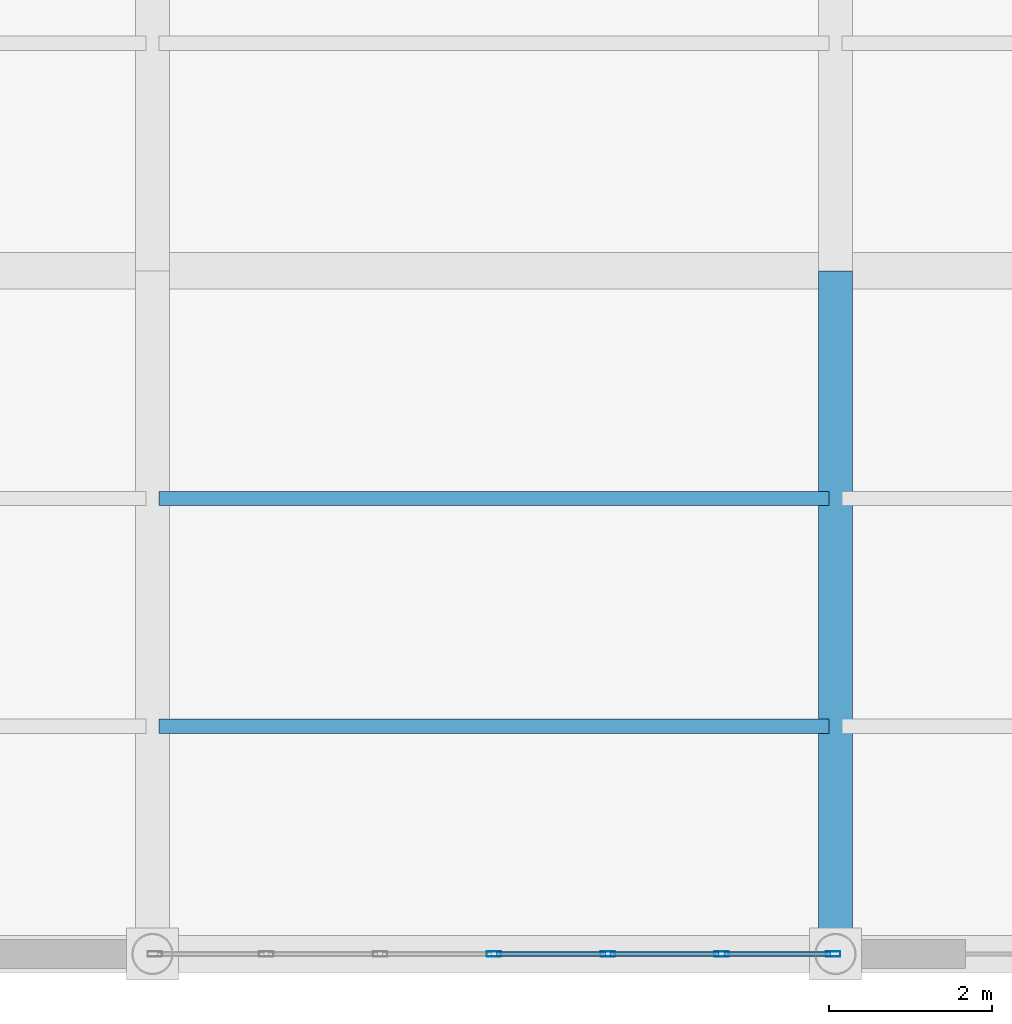
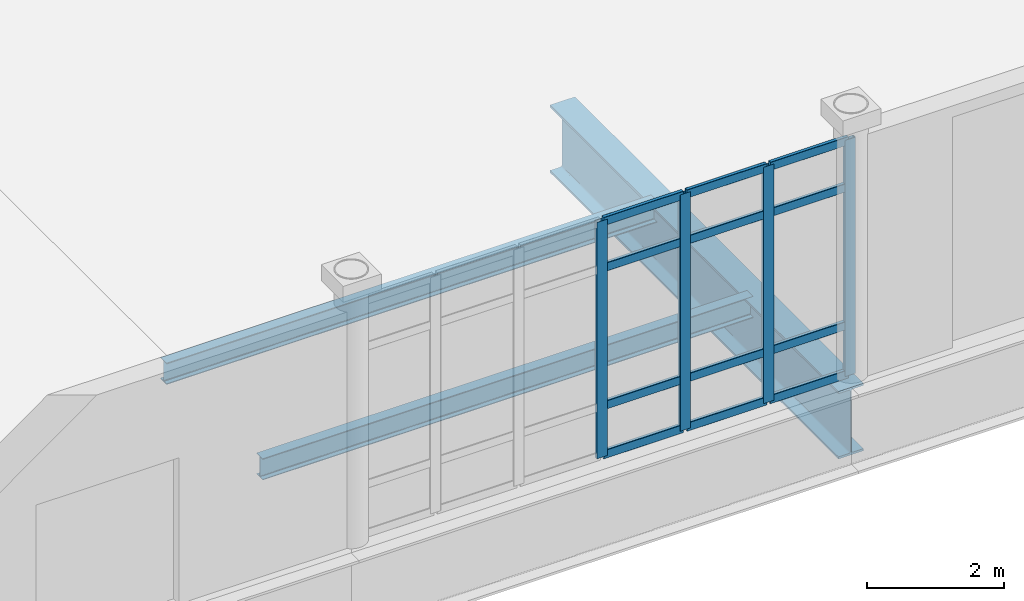
# One storey, part 48 of 145: 16 members, 3 beams, 1 element without a shape of its own.
"""IFC4 building model written with IfcOpenShell, lengths in metres."""

import ifcopenshell
import ifcopenshell.guid

model = None  # the IFC model being written
_history = None  # IfcOwnerHistory: only IFC2X3 demands one
_inside = {}  # id of a spatial element -> (the spatial element, [elements in it])
_under = {}  # id of a project, library or spatial element -> (it, [spatial elements below it])
_declared = {}  # id of a project -> (the project, [libraries it declares])
_typed = {}  # id of a type object -> (the type object, [elements of that type])
_made_of = {}  # id of a material, layer set ... -> (it, [elements and type objects made of it])


def new_model(schema):
    """Start an empty IFC model of exactly this schema.

    Asked for "IFC4X3", IfcOpenShell would pick the latest addendum, in which some entities
    have other attributes; the version numbers below select the first issue.
    IFC2X3 requires an IfcOwnerHistory on every rooted entity: one is made here for all.
    """
    global model, _history
    if schema == "IFC4X3":
        model = ifcopenshell.file(schema_version=(4, 3, 0, 0))
    else:
        model = ifcopenshell.file(schema=schema)
    _inside.clear()
    _under.clear()
    _declared.clear()
    _typed.clear()
    _made_of.clear()
    _history = None
    if model.schema == "IFC2X3":
        org = make("IfcOrganization", Name="unknown")
        user = make(
            "IfcPersonAndOrganization",
            ThePerson=make("IfcPerson", FamilyName="unknown"),
            TheOrganization=org,
        )
        app = make(
            "IfcApplication",
            ApplicationDeveloper=org,
            Version="unknown",
            ApplicationFullName="unknown",
            ApplicationIdentifier="unknown",
        )
        _history = make(
            "IfcOwnerHistory",
            OwningUser=user,
            OwningApplication=app,
            ChangeAction="ADDED",
            CreationDate=0,
        )
    return model


def make(cls, **values):
    """One entity of the class cls with the attributes given. An attribute that is None is left unset."""
    return model.create_entity(
        cls, **{name: value for name, value in values.items() if value is not None}
    )


def rooted(cls, **values):
    """An entity with a GlobalId (a new one), such as an element, a storey or a relation."""
    return make(cls, GlobalId=ifcopenshell.guid.new(), OwnerHistory=_history, **values)


def si_unit(unit_type, name, prefix=None):
    """IfcSIUnit, for example si_unit("LENGTHUNIT", "METRE", prefix="MILLI")."""
    return make("IfcSIUnit", UnitType=unit_type, Prefix=prefix, Name=name)


def assignment(units):
    """IfcUnitAssignment: the units of a project."""
    return None if units is None else make("IfcUnitAssignment", Units=units)


def point(xyz):
    """IfcCartesianPoint."""
    return None if xyz is None else make("IfcCartesianPoint", Coordinates=xyz)


def direction(xyz):
    """IfcDirection."""
    return None if xyz is None else make("IfcDirection", DirectionRatios=xyz)


def frame(location, z_axis=None, x_axis=None):
    """IfcAxis2Placement3D, a coordinate frame: its origin and axes. An axis left out is left unset."""
    return make(
        "IfcAxis2Placement3D",
        Location=point(location),
        Axis=direction(z_axis),
        RefDirection=direction(x_axis),
    )


def frame_2d(location, x_axis=None):
    """IfcAxis2Placement2D, a coordinate frame in the plane: its origin and x axis."""
    return make(
        "IfcAxis2Placement2D", Location=point(location), RefDirection=direction(x_axis)
    )


def origin():
    """The frame at (0, 0, 0) with its axes left unset."""
    return frame((0.0, 0.0, 0.0))


def origin_2d():
    """The frame at (0, 0) in the plane with its x axis left unset."""
    return frame_2d((0.0, 0.0))


def place(relative_to, where):
    """IfcLocalPlacement: puts the frame where relative to a parent placement (None: the world)."""
    return make(
        "IfcLocalPlacement", PlacementRelTo=relative_to, RelativePlacement=where
    )


def context(
    kind, dimensions, precision=None, world=None, true_north=None, identifier=None
):
    """IfcGeometricRepresentationContext, for example the 3D "Model" context."""
    return make(
        "IfcGeometricRepresentationContext",
        ContextIdentifier=identifier,
        ContextType=kind,
        CoordinateSpaceDimension=dimensions,
        Precision=precision,
        WorldCoordinateSystem=world,
        TrueNorth=true_north,
    )


def subcontext(parent, identifier, kind, view, scale=None):
    """IfcGeometricRepresentationSubContext, for example "Body" below "Model"."""
    return make(
        "IfcGeometricRepresentationSubContext",
        ContextIdentifier=identifier,
        ContextType=kind,
        ParentContext=parent,
        TargetScale=scale,
        TargetView=view,
    )


def project(units=None, contexts=None):
    """IfcProject with its units and contexts."""
    return rooted(
        "IfcProject",
        Name="project",
        RepresentationContexts=contexts,
        UnitsInContext=assignment(units),
    )


def spatial(cls, under=None, at=None, **own):
    """A site, building, storey or space (cls), placed at a placement, below another one or the project."""
    s = rooted(cls, ObjectPlacement=at, **own)
    if under is not None:
        _under.setdefault(under.id(), (under, []))[1].append(s)
    return s


def profile(cls, at=None, kind="AREA", **sizes):
    """A parametric profile (cls). Its sizes go by their IFC names, for example OverallWidth=200.0."""
    return make(cls, ProfileType=kind, Position=at, **sizes)


def hollow_rectangle(**sizes):
    """IfcRectangleHollowProfileDef."""
    return profile("IfcRectangleHollowProfileDef", **sizes)


def i_section(**sizes):
    """IfcIShapeProfileDef."""
    return profile("IfcIShapeProfileDef", **sizes)


def extrude(swept, where, along, depth):
    """IfcExtrudedAreaSolid: the profile swept, set in the frame where, extruded along a direction by depth."""
    return make(
        "IfcExtrudedAreaSolid",
        SweptArea=swept,
        Position=where,
        ExtrudedDirection=direction(along),
        Depth=depth,
    )


def shape(context_of_items, identifier, shape_type, items):
    """IfcShapeRepresentation: the items that make up one representation, for example the "Body"."""
    return make(
        "IfcShapeRepresentation",
        ContextOfItems=context_of_items,
        RepresentationIdentifier=identifier,
        RepresentationType=shape_type,
        Items=items,
    )


def material(Name=None, Category=None):
    """IfcMaterial."""
    return make("IfcMaterial", Name=Name, Category=Category)


def layer(
    of_material, thickness, ventilated=None, Name=None, Category=None, Priority=None
):
    """IfcMaterialLayer: one layer of a wall or slab, of a material (None: an air gap)."""
    return make(
        "IfcMaterialLayer",
        Material=of_material,
        LayerThickness=thickness,
        IsVentilated=ventilated,
        Name=Name,
        Category=Category,
        Priority=Priority,
    )


def layer_set(layers, Name=None):
    """IfcMaterialLayerSet."""
    return make("IfcMaterialLayerSet", MaterialLayers=layers, LayerSetName=Name)


def material_profile(
    of_material, cross_section, Name=None, Category=None, Priority=None
):
    """IfcMaterialProfile: a cross section and its material."""
    return make(
        "IfcMaterialProfile",
        Name=Name,
        Material=of_material,
        Profile=cross_section,
        Priority=Priority,
        Category=Category,
    )


def profile_set(profiles, Name=None, composite=None):
    """IfcMaterialProfileSet."""
    return make(
        "IfcMaterialProfileSet",
        Name=Name,
        MaterialProfiles=profiles,
        CompositeProfile=composite,
    )


def made_of(thing, what):
    """Note that an element or type object is made of a material, layer set ...; save() writes the relation."""
    if what is not None:
        _made_of.setdefault(what.id(), (what, []))[1].append(thing)
    return thing


def type_object(cls, material=None, **own):
    """A type object (cls), such as IfcWallType, which elements share."""
    return made_of(rooted(cls, **own), material)


def element(
    cls,
    number,
    at=None,
    inside=None,
    cuts=None,
    type_object=None,
    material=None,
    context=None,
    identifier="Body",
    shape_type=None,
    held_by="IfcProductDefinitionShape",
    body=None,
    shapes=None,
    **own,
):
    """One element of the class cls, such as IfcWall. Its Tag is "e" and its number.

    at: its placement. inside: the storey or other place that contains it. cuts: it is an
    opening in that element (IfcRelVoidsElement). A single representation is given by context,
    identifier, shape_type and body (its items); several are given by shapes. held_by: the class
    of the entity that holds the representations. save() writes the other relations.
    """
    e = rooted(cls, Tag="e%d" % number, ObjectPlacement=at, **own)
    if body is not None:
        shapes = [shape(context, identifier, shape_type, body)]
    if shapes is not None:
        e.Representation = make(held_by, Representations=shapes)
    if inside is not None:
        _inside.setdefault(inside.id(), (inside, []))[1].append(e)
    if cuts is not None:
        rooted(
            "IfcRelVoidsElement", RelatingBuildingElement=cuts, RelatedOpeningElement=e
        )
    if type_object is not None:
        _typed.setdefault(type_object.id(), (type_object, []))[1].append(e)
    return made_of(e, material)


def aggregate(whole, parts):
    """IfcRelAggregates: a whole, such as a stair, and the parts it consists of."""
    return rooted("IfcRelAggregates", RelatingObject=whole, RelatedObjects=parts)


def save(model, path):
    """Write the relations noted so far, then the file.

    IfcRelAggregates (storeys below a building ...), IfcRelContainedInSpatialStructure (elements
    in a storey), IfcRelDefinesByType, IfcRelAssociatesMaterial and IfcRelDeclares: one each for
    every whole, place, type object, material and project.
    """
    for whole, parts in _under.values():
        aggregate(whole, parts)
    for where, things in _inside.values():
        rooted(
            "IfcRelContainedInSpatialStructure",
            RelatedElements=things,
            RelatingStructure=where,
        )
    for kind, things in _typed.values():
        rooted("IfcRelDefinesByType", RelatedObjects=things, RelatingType=kind)
    for what, things in _made_of.values():
        rooted("IfcRelAssociatesMaterial", RelatedObjects=things, RelatingMaterial=what)
    for by, libraries in _declared.values():
        rooted("IfcRelDeclares", RelatingContext=by, RelatedDefinitions=libraries)
    model.write(path)


model = new_model("IFC4")

# Units and contexts
model_context = context("Model", 3, precision=1e-05, world=origin(), true_north=direction((0.0, 1.0)))
body_context = subcontext(model_context, "Body", "Model", "MODEL_VIEW")
ifc_project = project(units=[si_unit("LENGTHUNIT", "METRE"), si_unit("AREAUNIT", "SQUARE_METRE"), si_unit("VOLUMEUNIT", "CUBIC_METRE"), si_unit("PLANEANGLEUNIT", "RADIAN"), si_unit("MASSUNIT", "GRAM", prefix="KILO")], contexts=[model_context])

# Site, building, storey
site_placement = place(None, origin())
site = spatial("IfcSite", under=ifc_project, at=site_placement, CompositionType="ELEMENT")
building_placement = place(site_placement, origin())
building = spatial("IfcBuilding", under=site, at=building_placement, Name="Qalvenar Corner Mobility Hub", CompositionType="ELEMENT")
storey_placement = place(building_placement, origin())
storey = spatial("IfcBuildingStorey", under=building, at=storey_placement, Name="L00", CompositionType="ELEMENT", Elevation=0.0)

# Beams
ifc_material_1 = material(Name="Steel S355", Category="steel")
ifc_material_profile_1 = material_profile(ifc_material_1, i_section(OverallWidth=0.175048828125, OverallDepth=0.3798828125, WebThickness=0.00830078125, FlangeThickness=0.012939453125, FilletRadius=0.01806640625, at=origin_2d()), Name="IPE380-EQ")
ifc_profile_set_1 = profile_set([ifc_material_profile_1], Name="Steel S355")
beam_type_1 = type_object("IfcBeamType", Name="BM-JST380", PredefinedType="JOIST", material=ifc_profile_set_1)
for number, where, z_axis, x_axis, name in (
    (1, (75.677978515625, 2.800048828125, -0.43994140625), (1.0, 0.0, 0.0), (0.0, 1.0, 0.0), "Composite Floor Joist J-0216"),
    (2, (75.677978515625, 5.60009765625, -0.43994140625), (1.0, 0.0, 0.0), (0.0, 1.0, 0.0), "Composite Floor Joist J-0217"),
):
    element("IfcBeam", number, at=place(storey_placement, frame(where, z_axis=z_axis, x_axis=x_axis)), inside=storey, type_object=beam_type_1, Name=name, PredefinedType="JOIST", context=body_context, shape_type="SweptSolid", body=[
        extrude(i_section(OverallWidth=0.175048828125, OverallDepth=0.3798828125, WebThickness=0.00830078125, FlangeThickness=0.012939453125, FilletRadius=0.01806640625, at=origin_2d()), origin(), (0.0, 0.0, 1.0), 8.244140625),
    ])
ifc_material_profile_2 = material_profile(ifc_material_1, i_section(OverallWidth=0.419921875, OverallDepth=1.199951171875, WebThickness=0.02197265625, FlangeThickness=0.0380859375, FilletRadius=0.02392578125, at=origin_2d()), Name="W1100x390-TG1200")
ifc_profile_set_2 = profile_set([ifc_material_profile_2], Name="Steel S355")
beam_type_2 = type_object("IfcBeamType", Name="BM-TG1200", PredefinedType="T_BEAM", material=ifc_profile_set_2)
beam_placement = place(storey_placement, frame((84.0, 0.0, -0.85009765625), z_axis=(0.0, 1.0, 0.0), x_axis=(-1.0, 0.0, 0.0)))
element("IfcBeam", 3, at=beam_placement, inside=storey, type_object=beam_type_2, Name="Transfer Girder TG-0176", PredefinedType="T_BEAM", context=body_context, shape_type="SweptSolid", body=[
    extrude(i_section(OverallWidth=0.419921875, OverallDepth=1.199951171875, WebThickness=0.02197265625, FlangeThickness=0.0380859375, FilletRadius=0.02392578125, at=origin_2d()), origin(), (0.0, 0.0, 1.0), 8.39990234375),
])

# Curtain wall, members
ifc_material_2 = material(Name="Anodised Aluminium and Low-E Glazing", Category="aluminium")
ifc_layer = layer(ifc_material_2, 0.179931640625)
ifc_layer_set = layer_set([ifc_layer], Name="Anodised Aluminium and Low-E Glazing")
curtain_wall_type = type_object("IfcCurtainWallType", Name="CW-CONC-84X48", PredefinedType="NOTDEFINED", material=ifc_layer_set)
curtain_wall_placement = place(storey_placement, origin())
curtain_wall = element("IfcCurtainWall", 4, at=curtain_wall_placement, inside=storey, type_object=curtain_wall_type, Name="Glazed Curtain Wall CW-V1-L00-S3", PredefinedType="NOTDEFINED")
ifc_material_3 = material(Name="Anodised Aluminium 6063-T6", Category="aluminium")
ifc_material_profile_3 = material_profile(ifc_material_3, hollow_rectangle(XDim=0.06494140625, YDim=0.179931640625, WallThickness=0.00390625, InnerFilletRadius=0.00390625, OuterFilletRadius=0.008056640625, at=origin_2d()), Name="RHS180x65x4")
ifc_profile_set_3 = profile_set([ifc_material_profile_3], Name="Anodised Aluminium 6063-T6")
member_type_1 = type_object("IfcMemberType", Name="CW-MUL180", PredefinedType="MULLION", material=ifc_profile_set_3)
member_1_placement = place(storey_placement, frame((79.800048828125, 0.0, 0.0), z_axis=(0.0, 0.0, 1.0), x_axis=(0.0, 1.0, 0.0)))
member_1 = element("IfcMember", 5, at=member_1_placement, type_object=member_type_1, Name="CW-01 mullion 4", PredefinedType="MULLION", context=body_context, shape_type="SweptSolid", body=[
    extrude(hollow_rectangle(XDim=0.06494140625, YDim=0.179931640625, WallThickness=0.00390625, InnerFilletRadius=0.00390625, OuterFilletRadius=0.008056640625, at=origin_2d()), origin(), (0.0, 0.0, 1.0), 4.199951171875),
])
member_2_placement = place(storey_placement, frame((81.199951171875, 0.0, 0.0), z_axis=(0.0, 0.0, 1.0), x_axis=(0.0, 1.0, 0.0)))
member_2 = element("IfcMember", 6, at=member_2_placement, type_object=member_type_1, Name="CW-01 mullion 5", PredefinedType="MULLION", context=body_context, shape_type="SweptSolid", body=[
    extrude(hollow_rectangle(XDim=0.06494140625, YDim=0.179931640625, WallThickness=0.00390625, InnerFilletRadius=0.00390625, OuterFilletRadius=0.008056640625, at=origin_2d()), origin(), (0.0, 0.0, 1.0), 4.199951171875),
])
member_3_placement = place(storey_placement, frame((82.60009765625, 0.0, 0.0), z_axis=(0.0, 0.0, 1.0), x_axis=(0.0, 1.0, 0.0)))
member_3 = element("IfcMember", 7, at=member_3_placement, type_object=member_type_1, Name="CW-01 mullion 6", PredefinedType="MULLION", context=body_context, shape_type="SweptSolid", body=[
    extrude(hollow_rectangle(XDim=0.06494140625, YDim=0.179931640625, WallThickness=0.00390625, InnerFilletRadius=0.00390625, OuterFilletRadius=0.008056640625, at=origin_2d()), origin(), (0.0, 0.0, 1.0), 4.199951171875),
])
member_4_placement = place(storey_placement, frame((83.969970703125, 0.0, 0.0), z_axis=(0.0, 0.0, 1.0), x_axis=(0.0, 1.0, 0.0)))
member_4 = element("IfcMember", 8, at=member_4_placement, type_object=member_type_1, Name="CW-01 mullion 7", PredefinedType="MULLION", context=body_context, shape_type="SweptSolid", body=[
    extrude(hollow_rectangle(XDim=0.06494140625, YDim=0.179931640625, WallThickness=0.00390625, InnerFilletRadius=0.00390625, OuterFilletRadius=0.008056640625, at=origin_2d()), origin(), (0.0, 0.0, 1.0), 4.199951171875),
])
ifc_material_profile_4 = material_profile(ifc_material_3, hollow_rectangle(XDim=0.06005859375, YDim=0.14990234375, WallThickness=0.00341796875, InnerFilletRadius=0.00341796875, OuterFilletRadius=0.007080078125, at=origin_2d()), Name="RHS150x60x3.5")
ifc_profile_set_4 = profile_set([ifc_material_profile_4], Name="Anodised Aluminium 6063-T6")
member_type_2 = type_object("IfcMemberType", Name="CW-TRN150", PredefinedType="USERDEFINED", material=ifc_profile_set_4)
member_5_placement = place(storey_placement, frame((79.830078125, 0.0, 0.027587890625), z_axis=(1.0, 0.0, 0.0), x_axis=(0.0, 1.0, 0.0)))
member_5 = element("IfcMember", 9, at=member_5_placement, type_object=member_type_2, Name="CW-01 transom 4.1", ObjectType="TRANSOM", PredefinedType="USERDEFINED", context=body_context, shape_type="SweptSolid", body=[
    extrude(hollow_rectangle(XDim=0.06005859375, YDim=0.14990234375, WallThickness=0.00341796875, InnerFilletRadius=0.00341796875, OuterFilletRadius=0.007080078125, at=origin_2d()), origin(), (0.0, 0.0, 1.0), 1.33984375),
])
member_6_placement = place(storey_placement, frame((79.830078125, 0.0, 0.89990234375), z_axis=(1.0, 0.0, 0.0), x_axis=(0.0, 1.0, 0.0)))
member_6 = element("IfcMember", 10, at=member_6_placement, type_object=member_type_2, Name="CW-01 transom 4.2", ObjectType="TRANSOM", PredefinedType="USERDEFINED", context=body_context, shape_type="SweptSolid", body=[
    extrude(hollow_rectangle(XDim=0.06005859375, YDim=0.14990234375, WallThickness=0.00341796875, InnerFilletRadius=0.00341796875, OuterFilletRadius=0.007080078125, at=origin_2d()), origin(), (0.0, 0.0, 1.0), 1.33984375),
])
member_7_placement = place(storey_placement, frame((79.830078125, 0.0, 3.35009765625), z_axis=(1.0, 0.0, 0.0), x_axis=(0.0, 1.0, 0.0)))
member_7 = element("IfcMember", 11, at=member_7_placement, type_object=member_type_2, Name="CW-01 transom 4.3", ObjectType="TRANSOM", PredefinedType="USERDEFINED", context=body_context, shape_type="SweptSolid", body=[
    extrude(hollow_rectangle(XDim=0.06005859375, YDim=0.14990234375, WallThickness=0.00341796875, InnerFilletRadius=0.00341796875, OuterFilletRadius=0.007080078125, at=origin_2d()), origin(), (0.0, 0.0, 1.0), 1.33984375),
])
member_8_placement = place(storey_placement, frame((79.830078125, 0.0, 4.172607421875), z_axis=(1.0, 0.0, 0.0), x_axis=(0.0, 1.0, 0.0)))
member_8 = element("IfcMember", 12, at=member_8_placement, type_object=member_type_2, Name="CW-01 transom 4.4", ObjectType="TRANSOM", PredefinedType="USERDEFINED", context=body_context, shape_type="SweptSolid", body=[
    extrude(hollow_rectangle(XDim=0.06005859375, YDim=0.14990234375, WallThickness=0.00341796875, InnerFilletRadius=0.00341796875, OuterFilletRadius=0.007080078125, at=origin_2d()), origin(), (0.0, 0.0, 1.0), 1.33984375),
])
member_9_placement = place(storey_placement, frame((81.22998046875, 0.0, 0.027587890625), z_axis=(1.0, 0.0, 0.0), x_axis=(0.0, 1.0, 0.0)))
member_9 = element("IfcMember", 13, at=member_9_placement, type_object=member_type_2, Name="CW-01 transom 5.1", ObjectType="TRANSOM", PredefinedType="USERDEFINED", context=body_context, shape_type="SweptSolid", body=[
    extrude(hollow_rectangle(XDim=0.06005859375, YDim=0.14990234375, WallThickness=0.00341796875, InnerFilletRadius=0.00341796875, OuterFilletRadius=0.007080078125, at=origin_2d()), origin(), (0.0, 0.0, 1.0), 1.340087890625),
])
member_10_placement = place(storey_placement, frame((81.22998046875, 0.0, 0.89990234375), z_axis=(1.0, 0.0, 0.0), x_axis=(0.0, 1.0, 0.0)))
member_10 = element("IfcMember", 14, at=member_10_placement, type_object=member_type_2, Name="CW-01 transom 5.2", ObjectType="TRANSOM", PredefinedType="USERDEFINED", context=body_context, shape_type="SweptSolid", body=[
    extrude(hollow_rectangle(XDim=0.06005859375, YDim=0.14990234375, WallThickness=0.00341796875, InnerFilletRadius=0.00341796875, OuterFilletRadius=0.007080078125, at=origin_2d()), origin(), (0.0, 0.0, 1.0), 1.340087890625),
])
member_11_placement = place(storey_placement, frame((81.22998046875, 0.0, 3.35009765625), z_axis=(1.0, 0.0, 0.0), x_axis=(0.0, 1.0, 0.0)))
member_11 = element("IfcMember", 15, at=member_11_placement, type_object=member_type_2, Name="CW-01 transom 5.3", ObjectType="TRANSOM", PredefinedType="USERDEFINED", context=body_context, shape_type="SweptSolid", body=[
    extrude(hollow_rectangle(XDim=0.06005859375, YDim=0.14990234375, WallThickness=0.00341796875, InnerFilletRadius=0.00341796875, OuterFilletRadius=0.007080078125, at=origin_2d()), origin(), (0.0, 0.0, 1.0), 1.340087890625),
])
member_12_placement = place(storey_placement, frame((81.22998046875, 0.0, 4.172607421875), z_axis=(1.0, 0.0, 0.0), x_axis=(0.0, 1.0, 0.0)))
member_12 = element("IfcMember", 16, at=member_12_placement, type_object=member_type_2, Name="CW-01 transom 5.4", ObjectType="TRANSOM", PredefinedType="USERDEFINED", context=body_context, shape_type="SweptSolid", body=[
    extrude(hollow_rectangle(XDim=0.06005859375, YDim=0.14990234375, WallThickness=0.00341796875, InnerFilletRadius=0.00341796875, OuterFilletRadius=0.007080078125, at=origin_2d()), origin(), (0.0, 0.0, 1.0), 1.340087890625),
])
member_13_placement = place(storey_placement, frame((82.6298828125, 0.0, 0.027587890625), z_axis=(1.0, 0.0, 0.0), x_axis=(0.0, 1.0, 0.0)))
member_13 = element("IfcMember", 17, at=member_13_placement, type_object=member_type_2, Name="CW-01 transom 6.1", ObjectType="TRANSOM", PredefinedType="USERDEFINED", context=body_context, shape_type="SweptSolid", body=[
    extrude(hollow_rectangle(XDim=0.06005859375, YDim=0.14990234375, WallThickness=0.00341796875, InnerFilletRadius=0.00341796875, OuterFilletRadius=0.007080078125, at=origin_2d()), origin(), (0.0, 0.0, 1.0), 1.31005859375),
])
member_14_placement = place(storey_placement, frame((82.6298828125, 0.0, 0.89990234375), z_axis=(1.0, 0.0, 0.0), x_axis=(0.0, 1.0, 0.0)))
member_14 = element("IfcMember", 18, at=member_14_placement, type_object=member_type_2, Name="CW-01 transom 6.2", ObjectType="TRANSOM", PredefinedType="USERDEFINED", context=body_context, shape_type="SweptSolid", body=[
    extrude(hollow_rectangle(XDim=0.06005859375, YDim=0.14990234375, WallThickness=0.00341796875, InnerFilletRadius=0.00341796875, OuterFilletRadius=0.007080078125, at=origin_2d()), origin(), (0.0, 0.0, 1.0), 1.31005859375),
])
member_15_placement = place(storey_placement, frame((82.6298828125, 0.0, 3.35009765625), z_axis=(1.0, 0.0, 0.0), x_axis=(0.0, 1.0, 0.0)))
member_15 = element("IfcMember", 19, at=member_15_placement, type_object=member_type_2, Name="CW-01 transom 6.3", ObjectType="TRANSOM", PredefinedType="USERDEFINED", context=body_context, shape_type="SweptSolid", body=[
    extrude(hollow_rectangle(XDim=0.06005859375, YDim=0.14990234375, WallThickness=0.00341796875, InnerFilletRadius=0.00341796875, OuterFilletRadius=0.007080078125, at=origin_2d()), origin(), (0.0, 0.0, 1.0), 1.31005859375),
])
member_16_placement = place(storey_placement, frame((82.6298828125, 0.0, 4.172607421875), z_axis=(1.0, 0.0, 0.0), x_axis=(0.0, 1.0, 0.0)))
member_16 = element("IfcMember", 20, at=member_16_placement, type_object=member_type_2, Name="CW-01 transom 6.4", ObjectType="TRANSOM", PredefinedType="USERDEFINED", context=body_context, shape_type="SweptSolid", body=[
    extrude(hollow_rectangle(XDim=0.06005859375, YDim=0.14990234375, WallThickness=0.00341796875, InnerFilletRadius=0.00341796875, OuterFilletRadius=0.007080078125, at=origin_2d()), origin(), (0.0, 0.0, 1.0), 1.31005859375),
])
aggregate(curtain_wall, [member_1, member_2, member_3, member_4, member_5, member_6, member_7, member_8, member_9, member_10, member_11, member_12, member_13, member_14, member_15, member_16])

save(model, "model.ifc")
